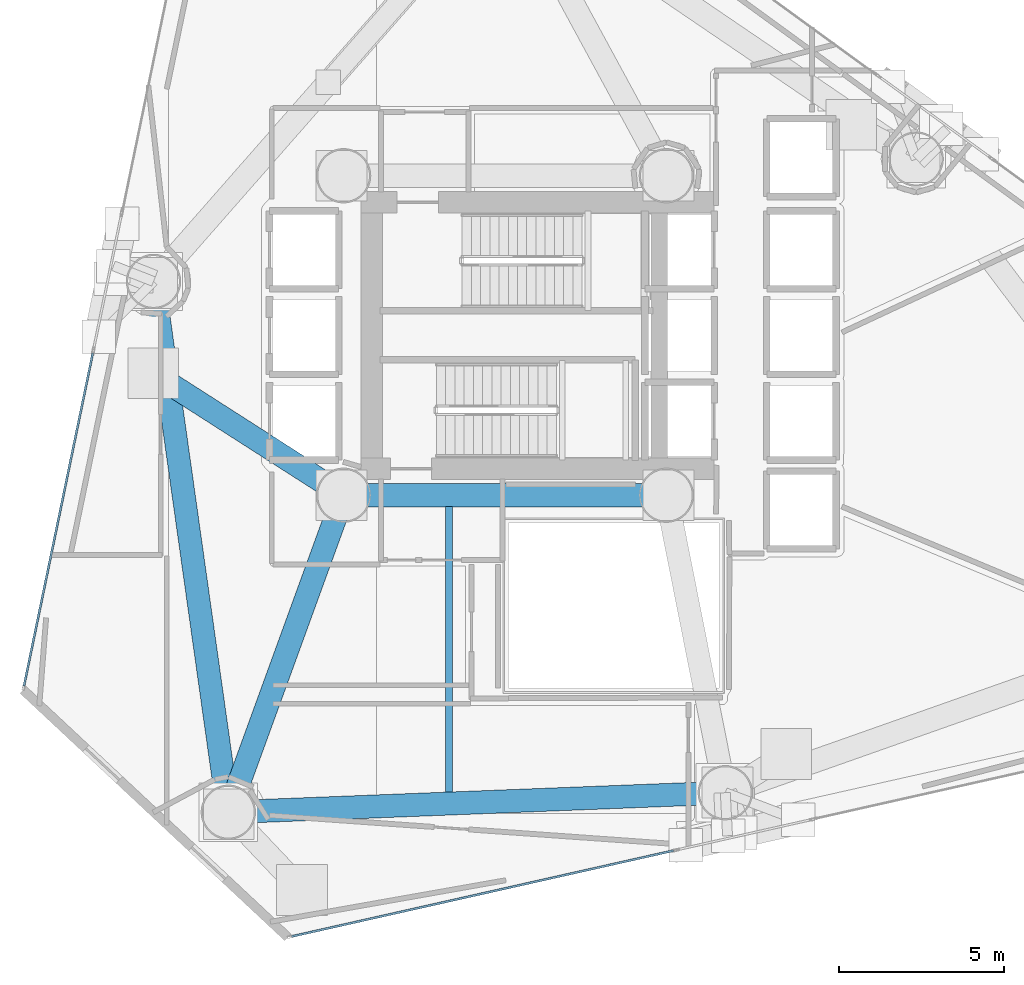
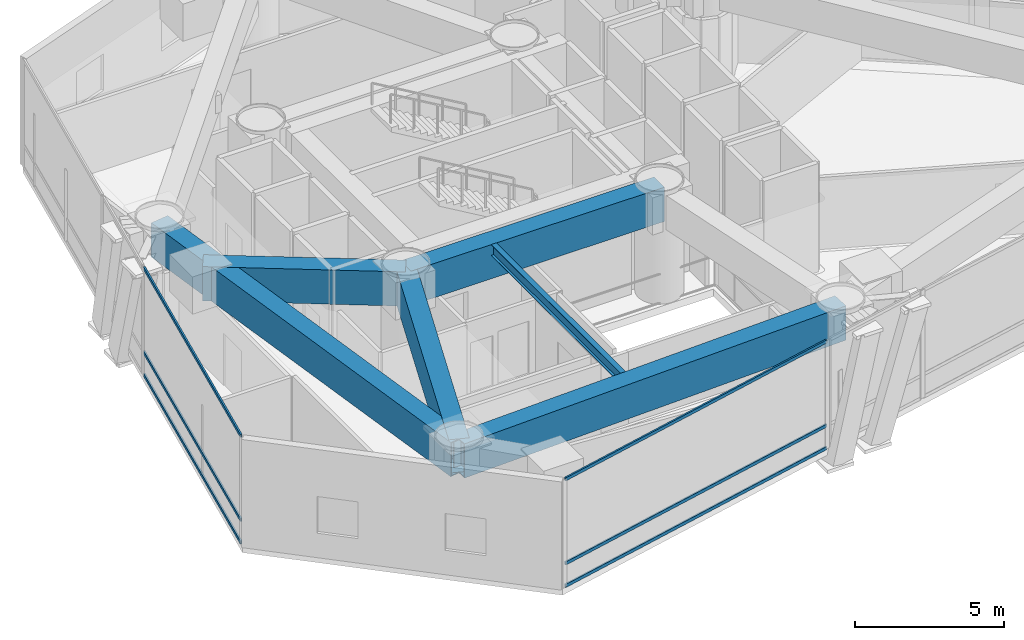
# One storey, part 3 of 22: 6 beams, 6 members, 2 elements without a shape of their own.
"""IFC4 building model written with IfcOpenShell, lengths in metres."""

from ifc_helpers import new_model, si_unit, direction, frame, origin, origin_2d, place, context, subcontext, project, spatial, hollow_rectangle, i_section, extrude, material, layer, layer_set, material_profile, profile_set, type_object, element, aggregate, save


model = new_model("IFC4")

# Units and contexts
model_context = context("Model", 3, precision=1e-05, world=origin(), true_north=direction((0.0, 1.0)))
body_context = subcontext(model_context, "Body", "Model", "MODEL_VIEW")
ifc_project = project(units=[si_unit("LENGTHUNIT", "METRE"), si_unit("AREAUNIT", "SQUARE_METRE"), si_unit("VOLUMEUNIT", "CUBIC_METRE"), si_unit("PLANEANGLEUNIT", "RADIAN"), si_unit("MASSUNIT", "GRAM", prefix="KILO")], contexts=[model_context])

# Site, building, storey
site_placement = place(None, origin())
site = spatial("IfcSite", under=ifc_project, at=site_placement, CompositionType="ELEMENT")
building_placement = place(site_placement, origin())
building = spatial("IfcBuilding", under=site, at=building_placement, Name="Qianvela Tower", CompositionType="ELEMENT")
storey_placement = place(building_placement, frame((0.0, 0.0, 93.199951171875)))
storey = spatial("IfcBuildingStorey", under=building, at=storey_placement, Name="L23", CompositionType="ELEMENT", Elevation=93.199951171875)

# Beams
ifc_material_1 = material(Name="Steel Q355B", Category="steel")
ifc_material_profile_1 = material_profile(ifc_material_1, i_section(OverallWidth=0.199951171875, OverallDepth=0.449951171875, WebThickness=0.009033203125, FlangeThickness=0.013916015625, at=origin_2d()), Name="HN450x200x9x14")
ifc_profile_set_1 = profile_set([ifc_material_profile_1], Name="Steel Q355B")
beam_type_1 = type_object("IfcBeamType", Name="BM-HN450-JOIST", PredefinedType="JOIST", material=ifc_profile_set_1)
beam_1_placement = place(storey_placement, frame((31.800048828125, 14.834716796875, 4.193115234375), z_axis=(0.0, 1.0, 0.0), x_axis=(-1.0, 0.0, 0.0)))
element("IfcBeam", 1, at=beam_1_placement, inside=storey, type_object=beam_type_1, Name="L23 Bay Secondary Floor Joist 1", PredefinedType="JOIST", context=body_context, shape_type="SweptSolid", body=[
    extrude(i_section(OverallWidth=0.199951171875, OverallDepth=0.449951171875, WebThickness=0.009033203125, FlangeThickness=0.013916015625, at=origin_2d()), origin(), (0.0, 0.0, 1.0), 8.669189453125),
])
ifc_material_2 = material(Name="Steel Q420GJC", Category="steel")
ifc_material_profile_2 = material_profile(ifc_material_2, hollow_rectangle(XDim=0.699951171875, YDim=1.39990234375, WallThickness=0.0400390625, at=origin_2d()), Name="TG-BOX-1400x700x40")
ifc_profile_set_2 = profile_set([ifc_material_profile_2], Name="Steel Q420GJC")
beam_type_2 = type_object("IfcBeamType", Name="BM-TG-RAD-1400", PredefinedType="BEAM", material=ifc_profile_set_2)
beam_2_placement = place(storey_placement, frame((28.60009765625, 23.85009765625, 3.718017578125), z_axis=(1.0, 0.0, 0.0), x_axis=(0.0, 1.0, 0.0)))
element("IfcBeam", 2, at=beam_2_placement, inside=storey, type_object=beam_type_2, Name="L23 Core Ring Transfer Girder 1", PredefinedType="BEAM", context=body_context, shape_type="SweptSolid", body=[
    extrude(hollow_rectangle(XDim=0.699951171875, YDim=1.39990234375, WallThickness=0.0400390625, at=origin_2d()), origin(), (0.0, 0.0, 1.0), 9.7998046875),
])
beam_3_placement = place(storey_placement, frame((22.8291015625, 30.340087890625, 3.718017578125), z_axis=(0.139545592864, -0.990215646974, 0.0), x_axis=(0.990215646974, 0.139545592864, 0.0)))
element("IfcBeam", 3, at=beam_3_placement, inside=storey, type_object=beam_type_2, Name="L23 Perimeter Belt-Truss Top Ring Girder 4", PredefinedType="BEAM", context=body_context, shape_type="SweptSolid", body=[
    extrude(hollow_rectangle(XDim=0.699951171875, YDim=1.39990234375, WallThickness=0.0400390625, at=origin_2d()), origin(), (0.0, 0.0, 1.0), 16.274169921875),
])
beam_4_placement = place(storey_placement, frame((25.10009765625, 14.22509765625, 3.718017578125), z_axis=(0.999226043345, 0.039335916178, 0.0), x_axis=(-0.039335916178, 0.999226043345, 0.0)))
element("IfcBeam", 4, at=beam_4_placement, inside=storey, type_object=beam_type_2, Name="L23 Perimeter Belt-Truss Top Ring Girder 5", PredefinedType="BEAM", context=body_context, shape_type="SweptSolid", body=[
    extrude(hollow_rectangle(XDim=0.699951171875, YDim=1.39990234375, WallThickness=0.0400390625, at=origin_2d()), origin(), (0.0, 0.0, 1.0), 15.1005859375),
])
beam_5_placement = place(storey_placement, frame((28.60009765625, 23.85009765625, 3.718017578125), z_axis=(-0.341743063087, -0.939793423488, 0.0), x_axis=(0.939793423488, -0.341743063087, 0.0)))
element("IfcBeam", 5, at=beam_5_placement, inside=storey, type_object=beam_type_2, Name="L23 Radial Outrigger Top Transfer Girder 5", PredefinedType="BEAM", context=body_context, shape_type="SweptSolid", body=[
    extrude(hollow_rectangle(XDim=0.699951171875, YDim=1.39990234375, WallThickness=0.0400390625, at=origin_2d()), origin(), (0.0, 0.0, 1.0), 10.24169921875),
])
ifc_material_3 = material(Name="Steel Q420GJC", Category="steel")
ifc_material_profile_3 = material_profile(ifc_material_3, hollow_rectangle(XDim=0.699951171875, YDim=1.39990234375, WallThickness=0.0400390625, at=origin_2d()), Name="TG-BOX-1400x700x40")
ifc_profile_set_3 = profile_set([ifc_material_profile_3], Name="Steel Q420GJC")
beam_type_3 = type_object("IfcBeamType", Name="BM-TG-STEP-1400", PredefinedType="BEAM", material=ifc_profile_set_3)
beam_6_placement = place(storey_placement, frame((28.60009765625, 23.85009765625, 3.718017578125), z_axis=(-0.84201554758, 0.539453258062, 0.0), x_axis=(-0.539453258062, -0.84201554758, 0.0)))
element("IfcBeam", 6, at=beam_6_placement, inside=storey, type_object=beam_type_3, Name="L23 Zone-Step Transfer Girder 4", PredefinedType="BEAM", context=body_context, shape_type="SweptSolid", body=[
    extrude(hollow_rectangle(XDim=0.699951171875, YDim=1.39990234375, WallThickness=0.0400390625, at=origin_2d()), origin(), (0.0, 0.0, 1.0), 6.7958984375),
])

# Curtain wall, members
ifc_material_4 = material(Name="Anodised Architectural Aluminium and Low-E Glass", Category="aluminium")
ifc_layer = layer(ifc_material_4, 0.179931640625)
ifc_layer_set = layer_set([ifc_layer], Name="Anodised Architectural Aluminium and Low-E Glass")
curtain_wall_type = type_object("IfcCurtainWallType", Name="CW-COLIV-Z12", PredefinedType="USERDEFINED", material=ifc_layer_set)
curtain_wall_1_placement = place(storey_placement, origin())
curtain_wall_1 = element("IfcCurtainWall", 7, at=curtain_wall_1_placement, inside=storey, type_object=curtain_wall_type, Name="L23 CW-COLIV-Z12 Curtain Wall 04C", ObjectType="CURTAIN_WALL_SYSTEM", PredefinedType="USERDEFINED")
ifc_material_5 = material(Name="Anodised Architectural Aluminium 6063-T6", Category="aluminium")
ifc_material_profile_4 = material_profile(ifc_material_5, hollow_rectangle(XDim=0.06494140625, YDim=0.1298828125, WallThickness=0.00439453125, at=origin_2d()), Name="ALU-TRAN-65x130")
ifc_profile_set_4 = profile_set([ifc_material_profile_4], Name="Anodised Architectural Aluminium 6063-T6")
member_type = type_object("IfcMemberType", Name="CW-COLIV-Z12-TRAN", PredefinedType="USERDEFINED", material=ifc_profile_set_4)
member_1_placement = place(storey_placement, frame((20.98486328125, 28.16552734375, 0.032470703125), z_axis=(-0.2024421752, -0.979294218149, 0.0), x_axis=(0.979294218149, -0.2024421752, 0.0)))
member_1 = element("IfcMember", 8, at=member_1_placement, type_object=member_type, Name="CW-3 transom 1.1", ObjectType="TRANSOM", PredefinedType="USERDEFINED", context=body_context, shape_type="SweptSolid", body=[
    extrude(hollow_rectangle(XDim=0.06494140625, YDim=0.1298828125, WallThickness=0.00439453125, at=origin_2d()), origin(), (0.0, 0.0, 1.0), 10.324462890625),
])
member_2_placement = place(storey_placement, frame((20.98486328125, 28.16552734375, 0.949951171875), z_axis=(-0.2024421752, -0.979294218149, 0.0), x_axis=(0.979294218149, -0.2024421752, 0.0)))
member_2 = element("IfcMember", 9, at=member_2_placement, type_object=member_type, Name="CW-3 transom 1.2", ObjectType="TRANSOM", PredefinedType="USERDEFINED", context=body_context, shape_type="SweptSolid", body=[
    extrude(hollow_rectangle(XDim=0.06494140625, YDim=0.1298828125, WallThickness=0.00439453125, at=origin_2d()), origin(), (0.0, 0.0, 1.0), 10.324462890625),
])
member_3_placement = place(storey_placement, frame((20.98486328125, 28.16552734375, 4.387451171875), z_axis=(-0.2024421752, -0.979294218149, 0.0), x_axis=(0.979294218149, -0.2024421752, 0.0)))
member_3 = element("IfcMember", 10, at=member_3_placement, type_object=member_type, Name="CW-3 transom 1.3", ObjectType="TRANSOM", PredefinedType="USERDEFINED", context=body_context, shape_type="SweptSolid", body=[
    extrude(hollow_rectangle(XDim=0.06494140625, YDim=0.1298828125, WallThickness=0.00439453125, at=origin_2d()), origin(), (0.0, 0.0, 1.0), 10.324462890625),
])
aggregate(curtain_wall_1, [member_1, member_2, member_3])

curtain_wall_2_placement = place(storey_placement, origin())
curtain_wall_2 = element("IfcCurtainWall", 11, at=curtain_wall_2_placement, inside=storey, type_object=curtain_wall_type, Name="L23 CW-COLIV-Z12 Curtain Wall 06A", ObjectType="CURTAIN_WALL_SYSTEM", PredefinedType="USERDEFINED")
member_4_placement = place(storey_placement, frame((27.02294921875, 10.453369140625, 0.032470703125), z_axis=(0.975640004265, 0.219377715546, 0.0), x_axis=(-0.219377715546, 0.975640004265, 0.0)))
member_4 = element("IfcMember", 12, at=member_4_placement, type_object=member_type, Name="CW-3 transom 1.1", ObjectType="TRANSOM", PredefinedType="USERDEFINED", context=body_context, shape_type="SweptSolid", body=[
    extrude(hollow_rectangle(XDim=0.06494140625, YDim=0.1298828125, WallThickness=0.00439453125, at=origin_2d()), origin(), (0.0, 0.0, 1.0), 11.8798828125),
])
member_5_placement = place(storey_placement, frame((27.02294921875, 10.453369140625, 0.949951171875), z_axis=(0.975640004265, 0.219377715546, 0.0), x_axis=(-0.219377715546, 0.975640004265, 0.0)))
member_5 = element("IfcMember", 13, at=member_5_placement, type_object=member_type, Name="CW-3 transom 1.2", ObjectType="TRANSOM", PredefinedType="USERDEFINED", context=body_context, shape_type="SweptSolid", body=[
    extrude(hollow_rectangle(XDim=0.06494140625, YDim=0.1298828125, WallThickness=0.00439453125, at=origin_2d()), origin(), (0.0, 0.0, 1.0), 11.8798828125),
])
member_6_placement = place(storey_placement, frame((27.02294921875, 10.453369140625, 4.387451171875), z_axis=(0.975640004265, 0.219377715546, 0.0), x_axis=(-0.219377715546, 0.975640004265, 0.0)))
member_6 = element("IfcMember", 14, at=member_6_placement, type_object=member_type, Name="CW-3 transom 1.3", ObjectType="TRANSOM", PredefinedType="USERDEFINED", context=body_context, shape_type="SweptSolid", body=[
    extrude(hollow_rectangle(XDim=0.06494140625, YDim=0.1298828125, WallThickness=0.00439453125, at=origin_2d()), origin(), (0.0, 0.0, 1.0), 11.8798828125),
])
aggregate(curtain_wall_2, [member_4, member_5, member_6])

save(model, "model.ifc")
